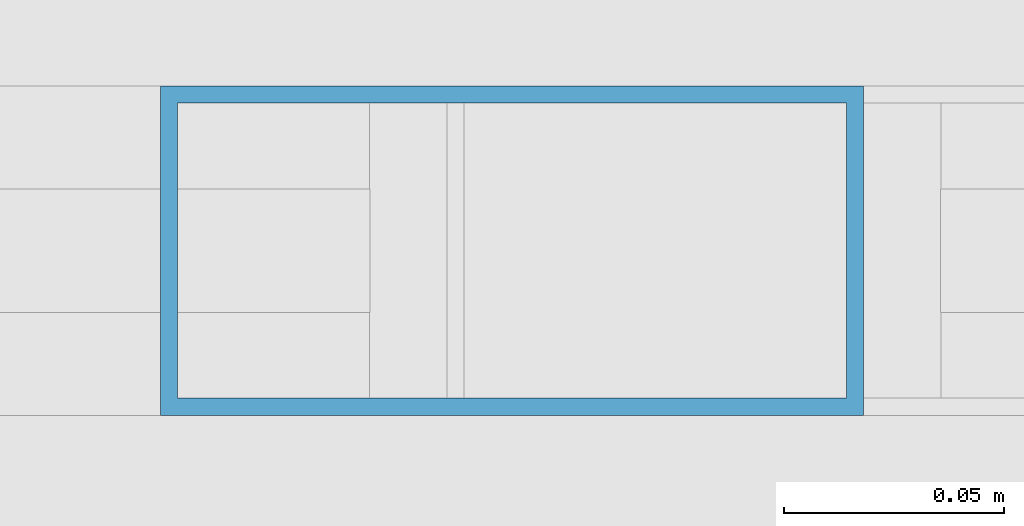
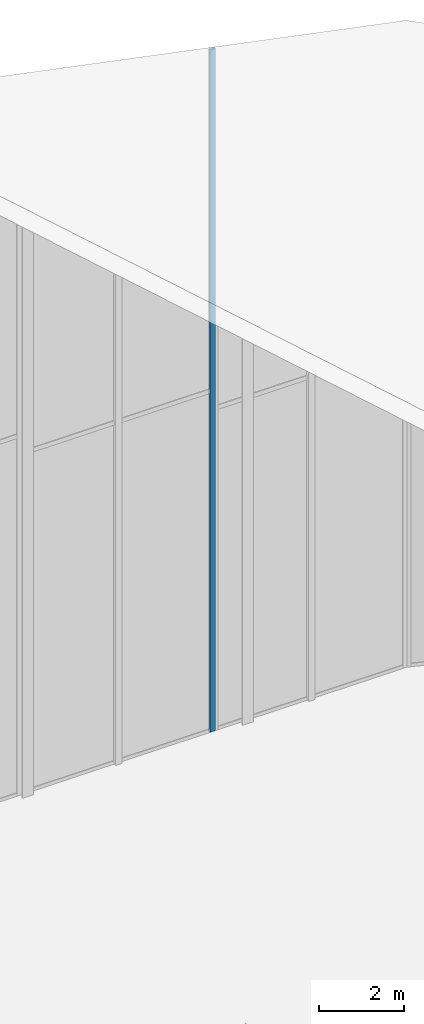
# One storey, part 57 of 74: 1 member, 1 element without a shape of its own.
"""IFC4 building model written with IfcOpenShell, lengths in metres."""

from ifc_helpers import new_model, si_unit, direction, frame, origin, origin_2d, place, context, subcontext, project, spatial, hollow_rectangle, extrude, material, layer, layer_set, material_profile, profile_set, type_object, element, aggregate, save


model = new_model("IFC4")

# Units and contexts
model_context = context("Model", 3, precision=1e-05, world=origin(), true_north=direction((0.0, 1.0)))
body_context = subcontext(model_context, "Body", "Model", "MODEL_VIEW")
ifc_project = project(units=[si_unit("LENGTHUNIT", "METRE"), si_unit("AREAUNIT", "SQUARE_METRE"), si_unit("VOLUMEUNIT", "CUBIC_METRE"), si_unit("PLANEANGLEUNIT", "RADIAN"), si_unit("MASSUNIT", "GRAM", prefix="KILO")], contexts=[model_context])

# Site, building, storey
site_placement = place(None, origin())
site = spatial("IfcSite", under=ifc_project, at=site_placement, CompositionType="ELEMENT")
building_placement = place(site_placement, origin())
building = spatial("IfcBuilding", under=site, at=building_placement, Name="Keshet Zoharim Tower", CompositionType="ELEMENT")
storey_placement = place(building_placement, frame((0.0, 0.0, 320.0)))
storey = spatial("IfcBuildingStorey", under=building, at=storey_placement, Name="RF", CompositionType="ELEMENT", Elevation=320.0)

# Curtain wall, member
ifc_material = material(Name="Aluminium 6063-T6", Category="aluminium")
ifc_layer = layer(ifc_material, 0.260009765625)
ifc_layer_set = layer_set([ifc_layer], Name="Aluminium 6063-T6")
curtain_wall_type = type_object("IfcCurtainWallType", Name="CW-SYS-06", PredefinedType="NOTDEFINED", material=ifc_layer_set)
curtain_wall_placement = place(storey_placement, origin())
curtain_wall = element("IfcCurtainWall", 1, at=curtain_wall_placement, inside=storey, type_object=curtain_wall_type, Name="Slanted Crown Curtain Wall 13", PredefinedType="NOTDEFINED")
ifc_material_profile = material_profile(ifc_material, hollow_rectangle(XDim=0.074951171875, YDim=0.159912109375, WallThickness=0.00390625, at=origin_2d()), Name="MUL-75x160")
ifc_profile_set = profile_set([ifc_material_profile], Name="Aluminium 6063-T6")
member_type = type_object("IfcMemberType", Name="CWM-M15", PredefinedType="MULLION", material=ifc_profile_set)
member_placement = place(storey_placement, frame((32.117431640625, 53.89990234375, 0.0), z_axis=(0.0, 0.0, 1.0), x_axis=(0.0, 1.0, 0.0)))
member = element("IfcMember", 2, at=member_placement, type_object=member_type, Name="CW-06 mullion 3", PredefinedType="MULLION", context=body_context, shape_type="SweptSolid", body=[
    extrude(hollow_rectangle(XDim=0.074951171875, YDim=0.159912109375, WallThickness=0.00390625, at=origin_2d()), origin(), (0.0, 0.0, 1.0), 19.64599609375),
])
aggregate(curtain_wall, [member])

save(model, "model.ifc")
